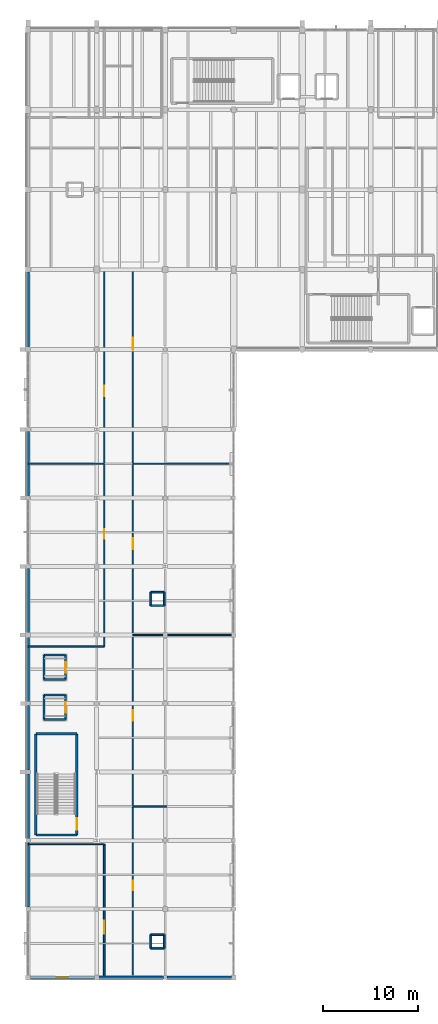
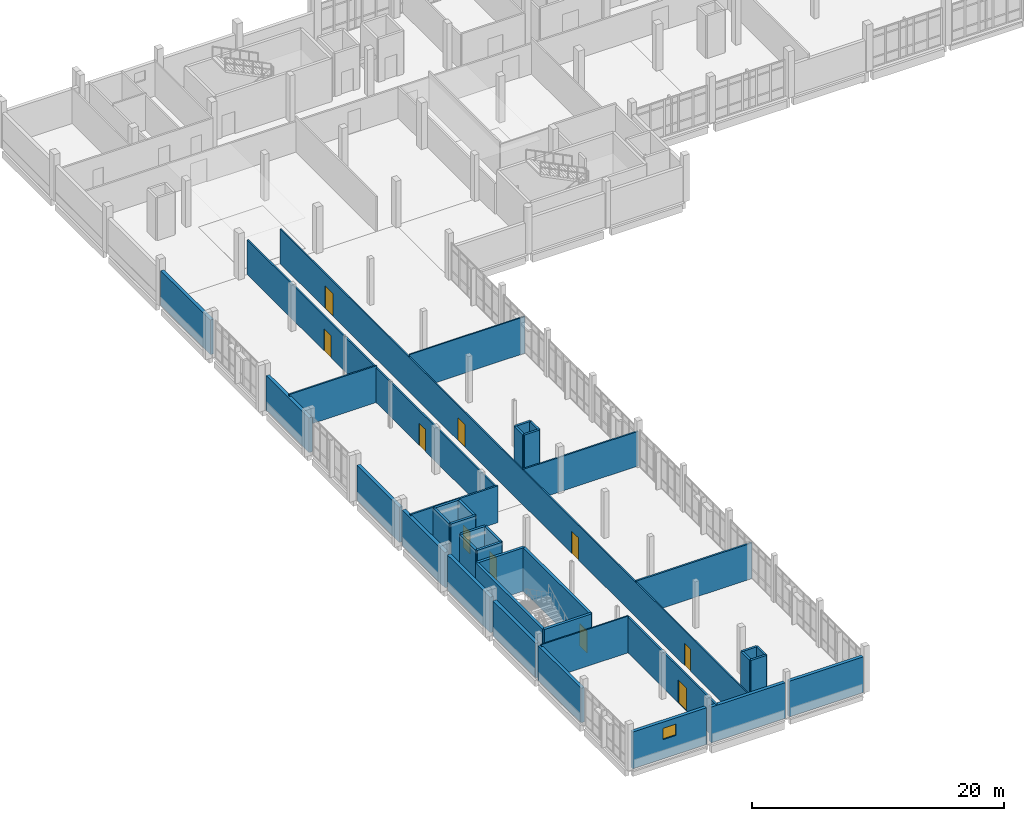
# One storey, part 52 of 62: 39 walls, 10 doors, 1 window, 11 openings.
"""IFC4 building model written with IfcOpenShell, lengths in metres."""

from ifc_helpers import new_model, si_unit, direction, frame, frame_2d, origin, place, context, subcontext, project, spatial, rectangle, extrude, material, layer, layer_set, type_object, element, fill, save


model = new_model("IFC4")

# Units and contexts
model_context = context("Model", 3, precision=1e-05, world=origin(), true_north=direction((0.0, 1.0)))
body_context = subcontext(model_context, "Body", "Model", "MODEL_VIEW")
ifc_project = project(units=[si_unit("LENGTHUNIT", "METRE"), si_unit("AREAUNIT", "SQUARE_METRE"), si_unit("VOLUMEUNIT", "CUBIC_METRE"), si_unit("PLANEANGLEUNIT", "RADIAN"), si_unit("MASSUNIT", "GRAM", prefix="KILO")], contexts=[model_context])

# Site, building, storey
site_placement = place(None, origin())
site = spatial("IfcSite", under=ifc_project, at=site_placement, CompositionType="ELEMENT")
building_placement = place(site_placement, origin())
building = spatial("IfcBuilding", under=site, at=building_placement, Name="Kalluvel Institute of Natural Sciences", CompositionType="ELEMENT")
storey_placement = place(building_placement, frame((0.0, 0.0, 27.89990234375)))
storey = spatial("IfcBuildingStorey", under=building, at=storey_placement, Name="L06", CompositionType="ELEMENT", Elevation=27.89990234375)

# Wall
ifc_material_1 = material(Name="Concrete M40", Category="concrete")
ifc_layer_1 = layer(ifc_material_1, 0.25)
ifc_layer_set_1 = layer_set([ifc_layer_1], Name="Concrete M40")
wall_type_1 = type_object("IfcWallType", Name="WL-CORE-250", PredefinedType="SHEAR", material=ifc_layer_set_1)
wall_1_placement = place(storey_placement, frame((14.81494140625, 43.385009765625, 0.0), z_axis=(0.0, 0.0, 1.0), x_axis=(1.0, 0.0, 0.0)))
element("IfcWall", 1, at=wall_1_placement, inside=storey, type_object=wall_type_1, Name="ST4 L06 core wall S", PredefinedType="SHEAR", context=body_context, shape_type="SweptSolid", body=[
    extrude(rectangle(XDim=4.300048828125, YDim=0.25, at=frame_2d((2.14990234375, 0.0))), origin(), (0.0, 0.0, 1.0), 4.195068359375),
])

# Wall, opening, door
wall_2_placement = place(storey_placement, frame((19.114990234375, 43.385009765625, 0.0), z_axis=(0.0, 0.0, 1.0), x_axis=(0.0, 1.0, 0.0)))
wall_2 = element("IfcWall", 2, at=wall_2_placement, inside=storey, type_object=wall_type_1, Name="ST4 L06 core wall E", PredefinedType="SHEAR", context=body_context, shape_type="SweptSolid", body=[
    extrude(rectangle(XDim=10.6298828125, YDim=0.25, at=frame_2d((5.31494140625, 0.0))), origin(), (0.0, 0.0, 1.0), 4.195068359375),
])
opening_1_placement = place(wall_2_placement, frame((0.550048828125, 0.0, 0.0)))
opening_1 = element("IfcOpeningElement", 3, at=opening_1_placement, cuts=wall_2, Name="Opening DS-041", PredefinedType="OPENING", context=body_context, shape_type="SweptSolid", body=[
    extrude(rectangle(XDim=1.199951171875, YDim=2.14990234375, at=frame_2d((0.60009765625, 1.074951171875))), frame((0.0, 0.135009765625, 0.0), z_axis=(0.0, -1.0, 0.0), x_axis=(1.0, 0.0, 0.0)), (0.0, 0.0, 1.0), 0.27001953125),
])
ifc_material_2 = material(Name="Galvanized Fire-Rated Steel", Category="steel")
door_type_1 = type_object("IfcDoorType", Name="DR-ST-1200", OperationType="NOTDEFINED", PredefinedType="DOOR", material=ifc_material_2)
door_1_placement = place(opening_1_placement, origin())
door_1 = element("IfcDoor", 4, at=door_1_placement, inside=storey, type_object=door_type_1, Name="ST4 L06 protected stair door DS-041", OperationType="SINGLE_SWING_RIGHT", OverallHeight=2.14990234375, OverallWidth=1.199951171875, PredefinedType="DOOR", context=body_context, shape_type="SweptSolid", body=[
    extrude(rectangle(XDim=1.199951171875, YDim=2.14990234375, at=frame_2d((0.60009765625, 1.074951171875))), frame((0.0, 0.02490234375, 0.0), z_axis=(0.0, -1.0, 0.0), x_axis=(1.0, 0.0, 0.0)), (0.0, 0.0, 1.0), 0.050048828125),
])
fill(opening_1, door_1)

# Walls
wall_3_placement = place(storey_placement, frame((19.114990234375, 54.014892578125, 0.0), z_axis=(0.0, 0.0, 1.0), x_axis=(-1.0, 0.0, 0.0)))
element("IfcWall", 5, at=wall_3_placement, inside=storey, type_object=wall_type_1, Name="ST4 L06 core wall N", PredefinedType="SHEAR", context=body_context, shape_type="SweptSolid", body=[
    extrude(rectangle(XDim=4.300048828125, YDim=0.25, at=frame_2d((2.14990234375, 0.0))), origin(), (0.0, 0.0, 1.0), 4.195068359375),
])
wall_4_placement = place(storey_placement, frame((14.81494140625, 54.014892578125, 0.0), z_axis=(0.0, 0.0, 1.0), x_axis=(0.0, -1.0, 0.0)))
element("IfcWall", 6, at=wall_4_placement, inside=storey, type_object=wall_type_1, Name="ST4 L06 core wall W", PredefinedType="SHEAR", context=body_context, shape_type="SweptSolid", body=[
    extrude(rectangle(XDim=10.6298828125, YDim=0.25, at=frame_2d((5.31494140625, 0.0))), origin(), (0.0, 0.0, 1.0), 4.195068359375),
])
ifc_material_3 = material(Name="Sadarahalli Grey Granite Ashlar Concrete M40", Category="masonry")
ifc_layer_2 = layer(ifc_material_3, 0.300048828125)
ifc_layer_set_2 = layer_set([ifc_layer_2], Name="Sadarahalli Grey Granite Ashlar Concrete M40")
wall_type_2 = type_object("IfcWallType", Name="WL-EXT-300", PredefinedType="SOLIDWALL", material=ifc_layer_set_2)
wall_5_placement = place(storey_placement, frame((14.0, 35.804931640625, 0.0), z_axis=(0.0, 0.0, 1.0), x_axis=(0.0, 1.0, 0.0)))
element("IfcWall", 7, at=wall_5_placement, inside=storey, type_object=wall_type_2, Name="L06 Sadarahalli granite exterior wall WL-EXT-L06-0201", PredefinedType="SOLIDWALL", context=body_context, shape_type="SweptSolid", body=[
    extrude(rectangle(XDim=6.815185546875, YDim=0.300048828125, at=frame_2d((3.40771484375, 0.0))), origin(), (0.0, 0.0, 1.0), 3.35498046875),
])
wall_6_placement = place(storey_placement, frame((14.0, 64.6298828125, 0.0), z_axis=(0.0, 0.0, 1.0), x_axis=(0.0, 1.0, 0.0)))
element("IfcWall", 8, at=wall_6_placement, inside=storey, type_object=wall_type_2, Name="L06 Sadarahalli granite exterior wall WL-EXT-L06-0205", PredefinedType="SOLIDWALL", context=body_context, shape_type="SweptSolid", body=[
    extrude(rectangle(XDim=6.76513671875, YDim=0.300048828125, at=frame_2d((3.382568359375, 0.0))), origin(), (0.0, 0.0, 1.0), 3.405029296875),
])
wall_7_placement = place(storey_placement, frame((14.0, 78.97998046875, 0.0), z_axis=(0.0, 0.0, 1.0), x_axis=(0.0, 1.0, 0.0)))
element("IfcWall", 9, at=wall_7_placement, inside=storey, type_object=wall_type_2, Name="L06 Sadarahalli granite exterior wall WL-EXT-L06-0206", PredefinedType="SOLIDWALL", context=body_context, shape_type="SweptSolid", body=[
    extrude(rectangle(XDim=6.81494140625, YDim=0.300048828125, at=frame_2d((3.407470703125, 0.0))), origin(), (0.0, 0.0, 1.0), 3.35498046875),
])
wall_8_placement = place(storey_placement, frame((14.0, 94.6298828125, 0.0), z_axis=(0.0, 0.0, 1.0), x_axis=(0.0, 1.0, 0.0)))
element("IfcWall", 10, at=wall_8_placement, inside=storey, type_object=wall_type_2, Name="L06 Sadarahalli granite exterior wall WL-EXT-L06-0207", PredefinedType="SOLIDWALL", context=body_context, shape_type="SweptSolid", body=[
    extrude(rectangle(XDim=7.9150390625, YDim=0.300048828125, at=frame_2d((3.95751953125, 0.0))), origin(), (0.0, 0.0, 1.0), 3.35498046875),
])

# Wall, opening, window
wall_9_placement = place(storey_placement, frame((14.22998046875, 28.39990234375, 0.0), z_axis=(0.0, 0.0, 1.0), x_axis=(1.0, 0.0, 0.0)))
wall_9 = element("IfcWall", 11, at=wall_9_placement, inside=storey, type_object=wall_type_2, Name="L06 Sadarahalli granite exterior wall WL-EXT-L06-0208", PredefinedType="SOLIDWALL", context=body_context, shape_type="SweptSolid", body=[
    extrude(rectangle(XDim=6.76513671875, YDim=0.300048828125, at=frame_2d((3.382568359375, 0.0))), origin(), (0.0, 0.0, 1.0), 3.55517578125),
])
opening_2_placement = place(wall_9_placement, frame((2.782470703125, 0.0, 1.85009765625)))
opening_2 = element("IfcOpeningElement", 12, at=opening_2_placement, cuts=wall_9, Name="Opening W-11", PredefinedType="OPENING", context=body_context, shape_type="SweptSolid", body=[
    extrude(rectangle(XDim=1.199951171875, YDim=1.10009765625, at=frame_2d((0.60009765625, 0.550048828125))), frame((0.0, 0.159912109375, 0.0), z_axis=(0.0, -1.0, 0.0), x_axis=(1.0, 0.0, 0.0)), (0.0, 0.0, 1.0), 0.320068359375),
])
ifc_material_4 = material(Name="Solar-Control Low-E Laminated Glass", Category="glass")
window_type = type_object("IfcWindowType", Name="WN-HIGH-120x110", PartitioningType="SINGLE_PANEL", PredefinedType="WINDOW", material=ifc_material_4)
window_placement = place(opening_2_placement, origin())
window = element("IfcWindow", 13, at=window_placement, inside=storey, type_object=window_type, Name="L06 Gothic lancet window 34", OverallHeight=1.10009765625, OverallWidth=1.199951171875, PartitioningType="SINGLE_PANEL", PredefinedType="WINDOW", context=body_context, shape_type="SweptSolid", body=[
    extrude(rectangle(XDim=1.199951171875, YDim=1.10009765625, at=frame_2d((0.60009765625, 0.550048828125))), frame((0.0, 0.030029296875, 0.0), z_axis=(0.0, -1.0, 0.0), x_axis=(1.0, 0.0, 0.0)), (0.0, 0.0, 1.0), 0.06005859375),
])
fill(opening_2, window)

# Walls
wall_10_placement = place(storey_placement, frame((21.405029296875, 28.39990234375, 0.0), z_axis=(0.0, 0.0, 1.0), x_axis=(1.0, 0.0, 0.0)))
element("IfcWall", 14, at=wall_10_placement, inside=storey, type_object=wall_type_2, Name="L06 Sadarahalli granite exterior wall WL-EXT-L06-0209", PredefinedType="SOLIDWALL", context=body_context, shape_type="SweptSolid", body=[
    extrude(rectangle(XDim=6.81494140625, YDim=0.300048828125, at=frame_2d((3.407470703125, 0.0))), origin(), (0.0, 0.0, 1.0), 3.455078125),
])
wall_11_placement = place(storey_placement, frame((28.580078125, 28.39990234375, 0.0), z_axis=(0.0, 0.0, 1.0), x_axis=(1.0, 0.0, 0.0)))
element("IfcWall", 15, at=wall_11_placement, inside=storey, type_object=wall_type_2, Name="L06 Sadarahalli granite exterior wall WL-EXT-L06-0210", PredefinedType="SOLIDWALL", context=body_context, shape_type="SweptSolid", body=[
    extrude(rectangle(XDim=6.7900390625, YDim=0.300048828125, at=frame_2d((3.39501953125, 0.0))), origin(), (0.0, 0.0, 1.0), 3.455078125),
])
ifc_layer_3 = layer(ifc_material_3, 0.320068359375)
ifc_layer_set_3 = layer_set([ifc_layer_3], Name="Sadarahalli Grey Granite Ashlar Concrete M40")
wall_type_3 = type_object("IfcWallType", Name="WL-EXT-320", PredefinedType="SOLIDWALL", material=ifc_layer_set_3)
wall_12_placement = place(storey_placement, frame((14.0, 42.97998046875, 0.0), z_axis=(0.0, 0.0, 1.0), x_axis=(0.0, 1.0, 0.0)))
element("IfcWall", 16, at=wall_12_placement, inside=storey, type_object=wall_type_3, Name="L06 Sadarahalli granite exterior wall WL-EXT-L06-0202", PredefinedType="SOLIDWALL", context=body_context, shape_type="SweptSolid", body=[
    extrude(rectangle(XDim=6.81494140625, YDim=0.320068359375, at=frame_2d((3.407470703125, 0.0))), origin(), (0.0, 0.0, 1.0), 3.35498046875),
])
wall_13_placement = place(storey_placement, frame((14.0, 50.205078125, 0.0), z_axis=(0.0, 0.0, 1.0), x_axis=(0.0, 1.0, 0.0)))
element("IfcWall", 17, at=wall_13_placement, inside=storey, type_object=wall_type_3, Name="L06 Sadarahalli granite exterior wall WL-EXT-L06-0203", PredefinedType="SOLIDWALL", context=body_context, shape_type="SweptSolid", body=[
    extrude(rectangle(XDim=6.81494140625, YDim=0.320068359375, at=frame_2d((3.407470703125, 0.0))), origin(), (0.0, 0.0, 1.0), 3.43505859375),
])
wall_14_placement = place(storey_placement, frame((14.0, 57.3798828125, 0.0), z_axis=(0.0, 0.0, 1.0), x_axis=(0.0, 1.0, 0.0)))
element("IfcWall", 18, at=wall_14_placement, inside=storey, type_object=wall_type_3, Name="L06 Sadarahalli granite exterior wall WL-EXT-L06-0204", PredefinedType="SOLIDWALL", context=body_context, shape_type="SweptSolid", body=[
    extrude(rectangle(XDim=6.7900390625, YDim=0.320068359375, at=frame_2d((3.39501953125, 0.0))), origin(), (0.0, 0.0, 1.0), 3.43505859375),
])

# Wall, openings, doors
ifc_material_5 = material(Name="Acoustic Gypsum Twin-Stud Partition", Category="gypsum")
ifc_layer_4 = layer(ifc_material_5, 0.1201171875)
ifc_layer_set_4 = layer_set([ifc_layer_4], Name="Acoustic Gypsum Twin-Stud Partition")
wall_type_4 = type_object("IfcWallType", Name="WL-PART-120", PredefinedType="PARTITIONING", material=ifc_layer_set_4)
wall_15_placement = place(storey_placement, frame((25.0, 28.39990234375, 0.0), z_axis=(0.0, 0.0, 1.0), x_axis=(0.0, 1.0, 0.0)))
wall_15 = element("IfcWall", 19, at=wall_15_placement, inside=storey, type_object=wall_type_4, Name="L06 interior partition wall WL-INT-L06-0300", PredefinedType="PARTITIONING", context=body_context, shape_type="SweptSolid", body=[
    extrude(rectangle(XDim=74.400146484375, YDim=0.1201171875, at=frame_2d((37.2001953125, 0.0))), origin(), (0.0, 0.0, 1.0), 3.360107421875),
])
opening_3_placement = place(wall_15_placement, frame((9.199951171875, 0.0, 0.0)))
opening_3 = element("IfcOpeningElement", 20, at=opening_3_placement, cuts=wall_15, Name="Opening D-228", PredefinedType="OPENING", context=body_context, shape_type="SweptSolid", body=[
    extrude(rectangle(XDim=1.0, YDim=2.14990234375, at=frame_2d((0.5, 1.074951171875))), frame((0.0, 0.070068359375, 0.0), z_axis=(0.0, -1.0, 0.0), x_axis=(1.0, 0.0, 0.0)), (0.0, 0.0, 1.0), 0.14013671875),
])
opening_4_placement = place(wall_15_placement, frame((27.0, 0.0, 0.0)))
opening_4 = element("IfcOpeningElement", 21, at=opening_4_placement, cuts=wall_15, Name="Opening D-229", PredefinedType="OPENING", context=body_context, shape_type="SweptSolid", body=[
    extrude(rectangle(XDim=1.10009765625, YDim=2.14990234375, at=frame_2d((0.550048828125, 1.074951171875))), frame((0.0, 0.070068359375, 0.0), z_axis=(0.0, -1.0, 0.0), x_axis=(1.0, 0.0, 0.0)), (0.0, 0.0, 1.0), 0.14013671875),
])
opening_5_placement = place(wall_15_placement, frame((45.0, 0.0, 0.0)))
opening_5 = element("IfcOpeningElement", 22, at=opening_5_placement, cuts=wall_15, Name="Opening D-230", PredefinedType="OPENING", context=body_context, shape_type="SweptSolid", body=[
    extrude(rectangle(XDim=1.179931640625, YDim=2.199951171875, at=frame_2d((0.58984375, 1.10009765625))), frame((0.0, 0.070068359375, 0.0), z_axis=(0.0, -1.0, 0.0), x_axis=(1.0, 0.0, 0.0)), (0.0, 0.0, 1.0), 0.14013671875),
])
opening_6_placement = place(wall_15_placement, frame((66.0, 0.0, 0.0)))
opening_6 = element("IfcOpeningElement", 23, at=opening_6_placement, cuts=wall_15, Name="Opening D-231", PredefinedType="OPENING", context=body_context, shape_type="SweptSolid", body=[
    extrude(rectangle(XDim=1.25, YDim=2.199951171875, at=frame_2d((0.625, 1.10009765625))), frame((0.0, 0.070068359375, 0.0), z_axis=(0.0, -1.0, 0.0), x_axis=(1.0, 0.0, 0.0)), (0.0, 0.0, 1.0), 0.14013671875),
])
ifc_material_6 = material(Name="Engineered Hardwood Acoustic Leaf", Category="wood")
door_type_2 = type_object("IfcDoorType", Name="DR-INT-1000", OperationType="NOTDEFINED", PredefinedType="DOOR", material=ifc_material_6)
door_2_placement = place(opening_3_placement, origin())
door_2 = element("IfcDoor", 24, at=door_2_placement, inside=storey, type_object=door_type_2, Name="Machine Learning for Natural Sciences Studio door D-228", OperationType="SINGLE_SWING_LEFT", OverallHeight=2.14990234375, OverallWidth=1.0, PredefinedType="DOOR", context=body_context, shape_type="SweptSolid", body=[
    extrude(rectangle(XDim=1.0, YDim=2.14990234375, at=frame_2d((0.5, 1.074951171875))), frame((0.0, 0.02490234375, 0.0), z_axis=(0.0, -1.0, 0.0), x_axis=(1.0, 0.0, 0.0)), (0.0, 0.0, 1.0), 0.050048828125),
])
fill(opening_3, door_2)
door_type_3 = type_object("IfcDoorType", Name="DR-INT-1100", OperationType="NOTDEFINED", PredefinedType="DOOR", material=ifc_material_6)
door_3_placement = place(opening_4_placement, origin())
door_3 = element("IfcDoor", 25, at=door_3_placement, inside=storey, type_object=door_type_3, Name="High-Performance Computing Terminal Room door D-229", OperationType="SINGLE_SWING_RIGHT", OverallHeight=2.14990234375, OverallWidth=1.10009765625, PredefinedType="DOOR", context=body_context, shape_type="SweptSolid", body=[
    extrude(rectangle(XDim=1.10009765625, YDim=2.14990234375, at=frame_2d((0.550048828125, 1.074951171875))), frame((0.0, 0.02490234375, 0.0), z_axis=(0.0, -1.0, 0.0), x_axis=(1.0, 0.0, 0.0)), (0.0, 0.0, 1.0), 0.050048828125),
])
fill(opening_4, door_3)
door_type_4 = type_object("IfcDoorType", Name="DR-INT-1180", OperationType="NOTDEFINED", PredefinedType="DOOR", material=ifc_material_6)
door_4_placement = place(opening_5_placement, origin())
door_4 = element("IfcDoor", 26, at=door_4_placement, inside=storey, type_object=door_type_4, Name="Principal Investigators Faculty Write-Up Suite door D-230", OperationType="SINGLE_SWING_LEFT", OverallHeight=2.199951171875, OverallWidth=1.179931640625, PredefinedType="DOOR", context=body_context, shape_type="SweptSolid", body=[
    extrude(rectangle(XDim=1.179931640625, YDim=2.199951171875, at=frame_2d((0.58984375, 1.10009765625))), frame((0.0, 0.02490234375, 0.0), z_axis=(0.0, -1.0, 0.0), x_axis=(1.0, 0.0, 0.0)), (0.0, 0.0, 1.0), 0.050048828125),
])
fill(opening_5, door_4)
door_type_5 = type_object("IfcDoorType", Name="DR-INT-1250", OperationType="NOTDEFINED", PredefinedType="DOOR", material=ifc_material_6)
door_5_placement = place(opening_6_placement, origin())
door_5 = element("IfcDoor", 27, at=door_5_placement, inside=storey, type_object=door_type_5, Name="Interdisciplinary Theory Colloquium Room door D-231", OperationType="SINGLE_SWING_RIGHT", OverallHeight=2.199951171875, OverallWidth=1.25, PredefinedType="DOOR", context=body_context, shape_type="SweptSolid", body=[
    extrude(rectangle(XDim=1.25, YDim=2.199951171875, at=frame_2d((0.625, 1.10009765625))), frame((0.0, 0.02490234375, 0.0), z_axis=(0.0, -1.0, 0.0), x_axis=(1.0, 0.0, 0.0)), (0.0, 0.0, 1.0), 0.050048828125),
])
fill(opening_6, door_5)

# Walls
wall_16_placement = place(storey_placement, frame((25.0, 82.39990234375, 0.0), z_axis=(0.0, 0.0, 1.0), x_axis=(1.0, 0.0, 0.0)))
element("IfcWall", 28, at=wall_16_placement, inside=storey, type_object=wall_type_4, Name="L06 interior partition wall WL-INT-L06-0303", PredefinedType="PARTITIONING", context=body_context, shape_type="SweptSolid", body=[
    extrude(rectangle(XDim=10.60009765625, YDim=0.1201171875, at=frame_2d((5.300048828125, 0.0))), origin(), (0.0, 0.0, 1.0), 3.56005859375),
])
wall_17_placement = place(storey_placement, frame((14.0, 42.39990234375, 0.0), z_axis=(0.0, 0.0, 1.0), x_axis=(1.0, 0.0, 0.0)))
element("IfcWall", 29, at=wall_17_placement, inside=storey, type_object=wall_type_4, Name="L06 interior partition wall WL-INT-L06-0306", PredefinedType="PARTITIONING", context=body_context, shape_type="SweptSolid", body=[
    extrude(rectangle(XDim=8.0, YDim=0.1201171875, at=frame_2d((4.0, 0.0))), origin(), (0.0, 0.0, 1.0), 3.56005859375),
])
ifc_layer_5 = layer(ifc_material_5, 0.139892578125)
ifc_layer_set_5 = layer_set([ifc_layer_5], Name="Acoustic Gypsum Twin-Stud Partition")
wall_type_5 = type_object("IfcWallType", Name="WL-PART-140", PredefinedType="PARTITIONING", material=ifc_layer_set_5)
wall_18_placement = place(storey_placement, frame((25.0, 64.39990234375, 0.0), z_axis=(0.0, 0.0, 1.0), x_axis=(1.0, 0.0, 0.0)))
element("IfcWall", 30, at=wall_18_placement, inside=storey, type_object=wall_type_5, Name="L06 interior partition wall WL-INT-L06-0302", PredefinedType="PARTITIONING", context=body_context, shape_type="SweptSolid", body=[
    extrude(rectangle(XDim=10.60009765625, YDim=0.139892578125, at=frame_2d((5.300048828125, 0.0))), origin(), (0.0, 0.0, 1.0), 3.360107421875),
])

# Wall, openings, doors
wall_19_placement = place(storey_placement, frame((22.0, 63.199951171875, 0.0), z_axis=(0.0, 0.0, 1.0), x_axis=(0.0, 1.0, 0.0)))
wall_19 = element("IfcWall", 31, at=wall_19_placement, inside=storey, type_object=wall_type_5, Name="L06 interior partition wall WL-INT-L06-0305", PredefinedType="PARTITIONING", context=body_context, shape_type="SweptSolid", body=[
    extrude(rectangle(XDim=39.60009765625, YDim=0.139892578125, at=frame_2d((19.800048828125, 0.0))), origin(), (0.0, 0.0, 1.0), 3.360107421875),
])
opening_7_placement = place(wall_19_placement, frame((11.300048828125, 0.0, 0.0)))
opening_7 = element("IfcOpeningElement", 32, at=opening_7_placement, cuts=wall_19, Name="Opening D-233", PredefinedType="OPENING", context=body_context, shape_type="SweptSolid", body=[
    extrude(rectangle(XDim=1.0, YDim=2.14990234375, at=frame_2d((0.5, 1.074951171875))), frame((0.0, 0.079833984375, 0.0), z_axis=(0.0, -1.0, 0.0), x_axis=(1.0, 0.0, 0.0)), (0.0, 0.0, 1.0), 0.159912109375),
])
opening_8_placement = place(wall_19_placement, frame((26.300048828125, 0.0, 0.0)))
opening_8 = element("IfcOpeningElement", 33, at=opening_8_placement, cuts=wall_19, Name="Opening D-234", PredefinedType="OPENING", context=body_context, shape_type="SweptSolid", body=[
    extrude(rectangle(XDim=1.10009765625, YDim=2.14990234375, at=frame_2d((0.550048828125, 1.074951171875))), frame((0.0, 0.079833984375, 0.0), z_axis=(0.0, -1.0, 0.0), x_axis=(1.0, 0.0, 0.0)), (0.0, 0.0, 1.0), 0.159912109375),
])
door_6_placement = place(opening_7_placement, origin())
door_6 = element("IfcDoor", 34, at=door_6_placement, inside=storey, type_object=door_type_2, Name="L06 DW-N1 door D-233", OperationType="SINGLE_SWING_LEFT", OverallHeight=2.14990234375, OverallWidth=1.0, PredefinedType="DOOR", context=body_context, shape_type="SweptSolid", body=[
    extrude(rectangle(XDim=1.0, YDim=2.14990234375, at=frame_2d((0.5, 1.074951171875))), frame((0.0, 0.02490234375, 0.0), z_axis=(0.0, -1.0, 0.0), x_axis=(1.0, 0.0, 0.0)), (0.0, 0.0, 1.0), 0.050048828125),
])
fill(opening_7, door_6)
door_7_placement = place(opening_8_placement, origin())
door_7 = element("IfcDoor", 35, at=door_7_placement, inside=storey, type_object=door_type_3, Name="L06 DW-N2 door D-234", OperationType="SINGLE_SWING_RIGHT", OverallHeight=2.14990234375, OverallWidth=1.10009765625, PredefinedType="DOOR", context=body_context, shape_type="SweptSolid", body=[
    extrude(rectangle(XDim=1.10009765625, YDim=2.14990234375, at=frame_2d((0.550048828125, 1.074951171875))), frame((0.0, 0.02490234375, 0.0), z_axis=(0.0, -1.0, 0.0), x_axis=(1.0, 0.0, 0.0)), (0.0, 0.0, 1.0), 0.050048828125),
])
fill(opening_8, door_7)

# Walls
wall_20_placement = place(storey_placement, frame((14.0, 82.39990234375, 0.0), z_axis=(0.0, 0.0, 1.0), x_axis=(1.0, 0.0, 0.0)))
element("IfcWall", 36, at=wall_20_placement, inside=storey, type_object=wall_type_5, Name="L06 interior partition wall WL-INT-L06-0308", PredefinedType="PARTITIONING", context=body_context, shape_type="SweptSolid", body=[
    extrude(rectangle(XDim=8.0, YDim=0.139892578125, at=frame_2d((4.0, 0.0))), origin(), (0.0, 0.0, 1.0), 3.56005859375),
])
ifc_material_7 = material(Name="Autoclaved Aerated Concrete Masonry Block", Category="masonry")
ifc_layer_6 = layer(ifc_material_7, 0.159912109375)
ifc_layer_set_6 = layer_set([ifc_layer_6], Name="Autoclaved Aerated Concrete Masonry Block")
wall_type_6 = type_object("IfcWallType", Name="WL-PART-160", PredefinedType="PARTITIONING", material=ifc_layer_set_6)
wall_21_placement = place(storey_placement, frame((25.0, 46.39990234375, 0.0), z_axis=(0.0, 0.0, 1.0), x_axis=(1.0, 0.0, 0.0)))
element("IfcWall", 37, at=wall_21_placement, inside=storey, type_object=wall_type_6, Name="L06 interior partition wall WL-INT-L06-0301", PredefinedType="PARTITIONING", context=body_context, shape_type="SweptSolid", body=[
    extrude(rectangle(XDim=10.60009765625, YDim=0.159912109375, at=frame_2d((5.300048828125, 0.0))), origin(), (0.0, 0.0, 1.0), 3.460205078125),
])

# Wall, opening, door
wall_22_placement = place(storey_placement, frame((22.0, 28.39990234375, 0.0), z_axis=(0.0, 0.0, 1.0), x_axis=(0.0, 1.0, 0.0)))
wall_22 = element("IfcWall", 38, at=wall_22_placement, inside=storey, type_object=wall_type_6, Name="L06 interior partition wall WL-INT-L06-0304", PredefinedType="PARTITIONING", context=body_context, shape_type="SweptSolid", body=[
    extrude(rectangle(XDim=14.0, YDim=0.159912109375, at=frame_2d((7.0, 0.0))), origin(), (0.0, 0.0, 1.0), 3.460205078125),
])
opening_9_placement = place(wall_22_placement, frame((4.60009765625, 0.0, 0.0)))
opening_9 = element("IfcOpeningElement", 39, at=opening_9_placement, cuts=wall_22, Name="Opening D-232", PredefinedType="OPENING", context=body_context, shape_type="SweptSolid", body=[
    extrude(rectangle(XDim=1.35009765625, YDim=2.199951171875, at=frame_2d((0.675048828125, 1.10009765625))), frame((0.0, 0.08984375, 0.0), z_axis=(0.0, -1.0, 0.0), x_axis=(1.0, 0.0, 0.0)), (0.0, 0.0, 1.0), 0.179931640625),
])
ifc_material_8 = material(Name="Aluminium AW-6063 T6", Category="aluminium")
door_type_6 = type_object("IfcDoorType", Name="DR-INT-1350", OperationType="NOTDEFINED", PredefinedType="DOOR", material=ifc_material_8)
door_8_placement = place(opening_9_placement, origin())
door_8 = element("IfcDoor", 40, at=door_8_placement, inside=storey, type_object=door_type_6, Name="L06 DW-S door D-232", OperationType="SINGLE_SWING_RIGHT", OverallHeight=2.199951171875, OverallWidth=1.35009765625, PredefinedType="DOOR", context=body_context, shape_type="SweptSolid", body=[
    extrude(rectangle(XDim=1.35009765625, YDim=2.199951171875, at=frame_2d((0.675048828125, 1.10009765625))), frame((0.0, 0.02490234375, 0.0), z_axis=(0.0, -1.0, 0.0), x_axis=(1.0, 0.0, 0.0)), (0.0, 0.0, 1.0), 0.050048828125),
])
fill(opening_9, door_8)

# Walls
wall_23_placement = place(storey_placement, frame((14.0, 63.199951171875, 0.0), z_axis=(0.0, 0.0, 1.0), x_axis=(1.0, 0.0, 0.0)))
element("IfcWall", 41, at=wall_23_placement, inside=storey, type_object=wall_type_6, Name="L06 interior partition wall WL-INT-L06-0307", PredefinedType="PARTITIONING", context=body_context, shape_type="SweptSolid", body=[
    extrude(rectangle(XDim=8.0, YDim=0.159912109375, at=frame_2d((4.0, 0.0))), origin(), (0.0, 0.0, 1.0), 3.56005859375),
])
ifc_layer_7 = layer(ifc_material_1, 0.199951171875)
ifc_layer_set_7 = layer_set([ifc_layer_7], Name="Concrete M40")
wall_type_7 = type_object("IfcWallType", Name="WL-RISER-200", PredefinedType="SHEAR", material=ifc_layer_set_7)
wall_24_placement = place(storey_placement, frame((26.89990234375, 31.5, 0.0), z_axis=(0.0, 0.0, 1.0), x_axis=(1.0, 0.0, 0.0)))
element("IfcWall", 42, at=wall_24_placement, inside=storey, type_object=wall_type_7, Name="RS-DRY-S L06 service riser enclosure S", PredefinedType="SHEAR", context=body_context, shape_type="SweptSolid", body=[
    extrude(rectangle(XDim=1.400146484375, YDim=0.199951171875, at=frame_2d((0.7001953125, 0.0))), origin(), (0.0, 0.0, 1.0), 4.16015625),
])
wall_25_placement = place(storey_placement, frame((28.300048828125, 31.5, 0.0), z_axis=(0.0, 0.0, 1.0), x_axis=(0.0, 1.0, 0.0)))
element("IfcWall", 43, at=wall_25_placement, inside=storey, type_object=wall_type_7, Name="RS-DRY-S L06 service riser enclosure E", PredefinedType="SHEAR", context=body_context, shape_type="SweptSolid", body=[
    extrude(rectangle(XDim=1.39990234375, YDim=0.199951171875, at=frame_2d((0.699951171875, 0.0))), origin(), (0.0, 0.0, 1.0), 4.16015625),
])
wall_26_placement = place(storey_placement, frame((28.300048828125, 32.89990234375, 0.0), z_axis=(0.0, 0.0, 1.0), x_axis=(-1.0, 0.0, 0.0)))
element("IfcWall", 44, at=wall_26_placement, inside=storey, type_object=wall_type_7, Name="RS-DRY-S L06 service riser enclosure N", PredefinedType="SHEAR", context=body_context, shape_type="SweptSolid", body=[
    extrude(rectangle(XDim=1.400146484375, YDim=0.199951171875, at=frame_2d((0.7001953125, 0.0))), origin(), (0.0, 0.0, 1.0), 4.16015625),
])
wall_27_placement = place(storey_placement, frame((26.89990234375, 32.89990234375, 0.0), z_axis=(0.0, 0.0, 1.0), x_axis=(0.0, -1.0, 0.0)))
element("IfcWall", 45, at=wall_27_placement, inside=storey, type_object=wall_type_7, Name="RS-DRY-S L06 service riser enclosure W", PredefinedType="SHEAR", context=body_context, shape_type="SweptSolid", body=[
    extrude(rectangle(XDim=1.39990234375, YDim=0.199951171875, at=frame_2d((0.699951171875, 0.0))), origin(), (0.0, 0.0, 1.0), 4.16015625),
])
wall_28_placement = place(storey_placement, frame((26.89990234375, 67.5, 0.0), z_axis=(0.0, 0.0, 1.0), x_axis=(1.0, 0.0, 0.0)))
element("IfcWall", 46, at=wall_28_placement, inside=storey, type_object=wall_type_7, Name="RS-DRY-N L06 service riser enclosure S", PredefinedType="SHEAR", context=body_context, shape_type="SweptSolid", body=[
    extrude(rectangle(XDim=1.400146484375, YDim=0.199951171875, at=frame_2d((0.7001953125, 0.0))), origin(), (0.0, 0.0, 1.0), 4.16015625),
])
wall_29_placement = place(storey_placement, frame((28.300048828125, 67.5, 0.0), z_axis=(0.0, 0.0, 1.0), x_axis=(0.0, 1.0, 0.0)))
element("IfcWall", 47, at=wall_29_placement, inside=storey, type_object=wall_type_7, Name="RS-DRY-N L06 service riser enclosure E", PredefinedType="SHEAR", context=body_context, shape_type="SweptSolid", body=[
    extrude(rectangle(XDim=1.39990234375, YDim=0.199951171875, at=frame_2d((0.699951171875, 0.0))), origin(), (0.0, 0.0, 1.0), 4.16015625),
])
wall_30_placement = place(storey_placement, frame((28.300048828125, 68.89990234375, 0.0), z_axis=(0.0, 0.0, 1.0), x_axis=(-1.0, 0.0, 0.0)))
element("IfcWall", 48, at=wall_30_placement, inside=storey, type_object=wall_type_7, Name="RS-DRY-N L06 service riser enclosure N", PredefinedType="SHEAR", context=body_context, shape_type="SweptSolid", body=[
    extrude(rectangle(XDim=1.400146484375, YDim=0.199951171875, at=frame_2d((0.7001953125, 0.0))), origin(), (0.0, 0.0, 1.0), 4.16015625),
])
wall_31_placement = place(storey_placement, frame((26.89990234375, 68.89990234375, 0.0), z_axis=(0.0, 0.0, 1.0), x_axis=(0.0, -1.0, 0.0)))
element("IfcWall", 49, at=wall_31_placement, inside=storey, type_object=wall_type_7, Name="RS-DRY-N L06 service riser enclosure W", PredefinedType="SHEAR", context=body_context, shape_type="SweptSolid", body=[
    extrude(rectangle(XDim=1.39990234375, YDim=0.199951171875, at=frame_2d((0.699951171875, 0.0))), origin(), (0.0, 0.0, 1.0), 4.16015625),
])
ifc_layer_8 = layer(ifc_material_1, 0.219970703125)
ifc_layer_set_8 = layer_set([ifc_layer_8], Name="Concrete M40")
wall_type_8 = type_object("IfcWallType", Name="WL-SHAFT-220", PredefinedType="SHEAR", material=ifc_layer_set_8)
wall_32_placement = place(storey_placement, frame((15.669921875, 55.52001953125, 0.0), z_axis=(0.0, 0.0, 1.0), x_axis=(1.0, 0.0, 0.0)))
element("IfcWall", 50, at=wall_32_placement, inside=storey, type_object=wall_type_8, Name="LF6 L06 lift shaft wall", PredefinedType="SHEAR", context=body_context, shape_type="SweptSolid", body=[
    extrude(rectangle(XDim=2.260009765625, YDim=0.219970703125, at=frame_2d((1.1298828125, 0.0))), origin(), (0.0, 0.0, 1.0), 4.195068359375),
])

# Wall, opening, door
wall_33_placement = place(storey_placement, frame((17.929931640625, 55.52001953125, 0.0), z_axis=(0.0, 0.0, 1.0), x_axis=(0.0, 1.0, 0.0)))
wall_33 = element("IfcWall", 51, at=wall_33_placement, inside=storey, type_object=wall_type_8, Name="LF6 L06 lift shaft wall", PredefinedType="SHEAR", context=body_context, shape_type="SweptSolid", body=[
    extrude(rectangle(XDim=2.56005859375, YDim=0.219970703125, at=frame_2d((1.280029296875, 0.0))), origin(), (0.0, 0.0, 1.0), 4.195068359375),
])
opening_10_placement = place(wall_33_placement, frame((0.72998046875, 0.0, 0.0)))
opening_10 = element("IfcOpeningElement", 52, at=opening_10_placement, cuts=wall_33, Name="Opening LD-050", PredefinedType="OPENING", context=body_context, shape_type="SweptSolid", body=[
    extrude(rectangle(XDim=1.10009765625, YDim=2.14990234375, at=frame_2d((0.550048828125, 1.074951171875))), frame((0.0, 0.119873046875, 0.0), z_axis=(0.0, -1.0, 0.0), x_axis=(1.0, 0.0, 0.0)), (0.0, 0.0, 1.0), 0.239990234375),
])
door_type_7 = type_object("IfcDoorType", Name="DR-LD-1100", OperationType="NOTDEFINED", PredefinedType="DOOR", material=ifc_material_2)
door_9_placement = place(opening_10_placement, origin())
door_9 = element("IfcDoor", 53, at=door_9_placement, inside=storey, type_object=door_type_7, Name="LF6 L06 sliding lift landing door LD-050", OperationType="DOUBLE_DOOR_SLIDING", OverallHeight=2.14990234375, OverallWidth=1.10009765625, PredefinedType="DOOR", context=body_context, shape_type="SweptSolid", body=[
    extrude(rectangle(XDim=1.10009765625, YDim=2.14990234375, at=frame_2d((0.550048828125, 1.074951171875))), frame((0.0, 0.02490234375, 0.0), z_axis=(0.0, -1.0, 0.0), x_axis=(1.0, 0.0, 0.0)), (0.0, 0.0, 1.0), 0.050048828125),
])
fill(opening_10, door_9)

# Walls
wall_34_placement = place(storey_placement, frame((17.929931640625, 58.080078125, 0.0), z_axis=(0.0, 0.0, 1.0), x_axis=(-1.0, 0.0, 0.0)))
element("IfcWall", 54, at=wall_34_placement, inside=storey, type_object=wall_type_8, Name="LF6 L06 lift shaft wall", PredefinedType="SHEAR", context=body_context, shape_type="SweptSolid", body=[
    extrude(rectangle(XDim=2.260009765625, YDim=0.219970703125, at=frame_2d((1.1298828125, 0.0))), origin(), (0.0, 0.0, 1.0), 4.195068359375),
])
wall_35_placement = place(storey_placement, frame((15.669921875, 58.080078125, 0.0), z_axis=(0.0, 0.0, 1.0), x_axis=(0.0, -1.0, 0.0)))
element("IfcWall", 55, at=wall_35_placement, inside=storey, type_object=wall_type_8, Name="LF6 L06 lift shaft wall", PredefinedType="SHEAR", context=body_context, shape_type="SweptSolid", body=[
    extrude(rectangle(XDim=2.56005859375, YDim=0.219970703125, at=frame_2d((1.280029296875, 0.0))), origin(), (0.0, 0.0, 1.0), 4.195068359375),
])
wall_36_placement = place(storey_placement, frame((15.669921875, 59.719970703125, 0.0), z_axis=(0.0, 0.0, 1.0), x_axis=(1.0, 0.0, 0.0)))
element("IfcWall", 56, at=wall_36_placement, inside=storey, type_object=wall_type_8, Name="LF7 L06 lift shaft wall", PredefinedType="SHEAR", context=body_context, shape_type="SweptSolid", body=[
    extrude(rectangle(XDim=2.260009765625, YDim=0.219970703125, at=frame_2d((1.1298828125, 0.0))), origin(), (0.0, 0.0, 1.0), 4.195068359375),
])

# Wall, opening, door
wall_37_placement = place(storey_placement, frame((17.929931640625, 59.719970703125, 0.0), z_axis=(0.0, 0.0, 1.0), x_axis=(0.0, 1.0, 0.0)))
wall_37 = element("IfcWall", 57, at=wall_37_placement, inside=storey, type_object=wall_type_8, Name="LF7 L06 lift shaft wall", PredefinedType="SHEAR", context=body_context, shape_type="SweptSolid", body=[
    extrude(rectangle(XDim=2.56005859375, YDim=0.219970703125, at=frame_2d((1.280029296875, 0.0))), origin(), (0.0, 0.0, 1.0), 4.195068359375),
])
opening_11_placement = place(wall_37_placement, frame((0.72998046875, 0.0, 0.0)))
opening_11 = element("IfcOpeningElement", 58, at=opening_11_placement, cuts=wall_37, Name="Opening LD-058", PredefinedType="OPENING", context=body_context, shape_type="SweptSolid", body=[
    extrude(rectangle(XDim=1.10009765625, YDim=2.14990234375, at=frame_2d((0.550048828125, 1.074951171875))), frame((0.0, 0.119873046875, 0.0), z_axis=(0.0, -1.0, 0.0), x_axis=(1.0, 0.0, 0.0)), (0.0, 0.0, 1.0), 0.239990234375),
])
door_10_placement = place(opening_11_placement, origin())
door_10 = element("IfcDoor", 59, at=door_10_placement, inside=storey, type_object=door_type_7, Name="LF7 L06 sliding lift landing door LD-058", OperationType="DOUBLE_DOOR_SLIDING", OverallHeight=2.14990234375, OverallWidth=1.10009765625, PredefinedType="DOOR", context=body_context, shape_type="SweptSolid", body=[
    extrude(rectangle(XDim=1.10009765625, YDim=2.14990234375, at=frame_2d((0.550048828125, 1.074951171875))), frame((0.0, 0.02490234375, 0.0), z_axis=(0.0, -1.0, 0.0), x_axis=(1.0, 0.0, 0.0)), (0.0, 0.0, 1.0), 0.050048828125),
])
fill(opening_11, door_10)

# Walls
wall_38_placement = place(storey_placement, frame((17.929931640625, 62.280029296875, 0.0), z_axis=(0.0, 0.0, 1.0), x_axis=(-1.0, 0.0, 0.0)))
element("IfcWall", 60, at=wall_38_placement, inside=storey, type_object=wall_type_8, Name="LF7 L06 lift shaft wall", PredefinedType="SHEAR", context=body_context, shape_type="SweptSolid", body=[
    extrude(rectangle(XDim=2.260009765625, YDim=0.219970703125, at=frame_2d((1.1298828125, 0.0))), origin(), (0.0, 0.0, 1.0), 4.195068359375),
])
wall_39_placement = place(storey_placement, frame((15.669921875, 62.280029296875, 0.0), z_axis=(0.0, 0.0, 1.0), x_axis=(0.0, -1.0, 0.0)))
element("IfcWall", 61, at=wall_39_placement, inside=storey, type_object=wall_type_8, Name="LF7 L06 lift shaft wall", PredefinedType="SHEAR", context=body_context, shape_type="SweptSolid", body=[
    extrude(rectangle(XDim=2.56005859375, YDim=0.219970703125, at=frame_2d((1.280029296875, 0.0))), origin(), (0.0, 0.0, 1.0), 4.195068359375),
])

save(model, "model.ifc")
